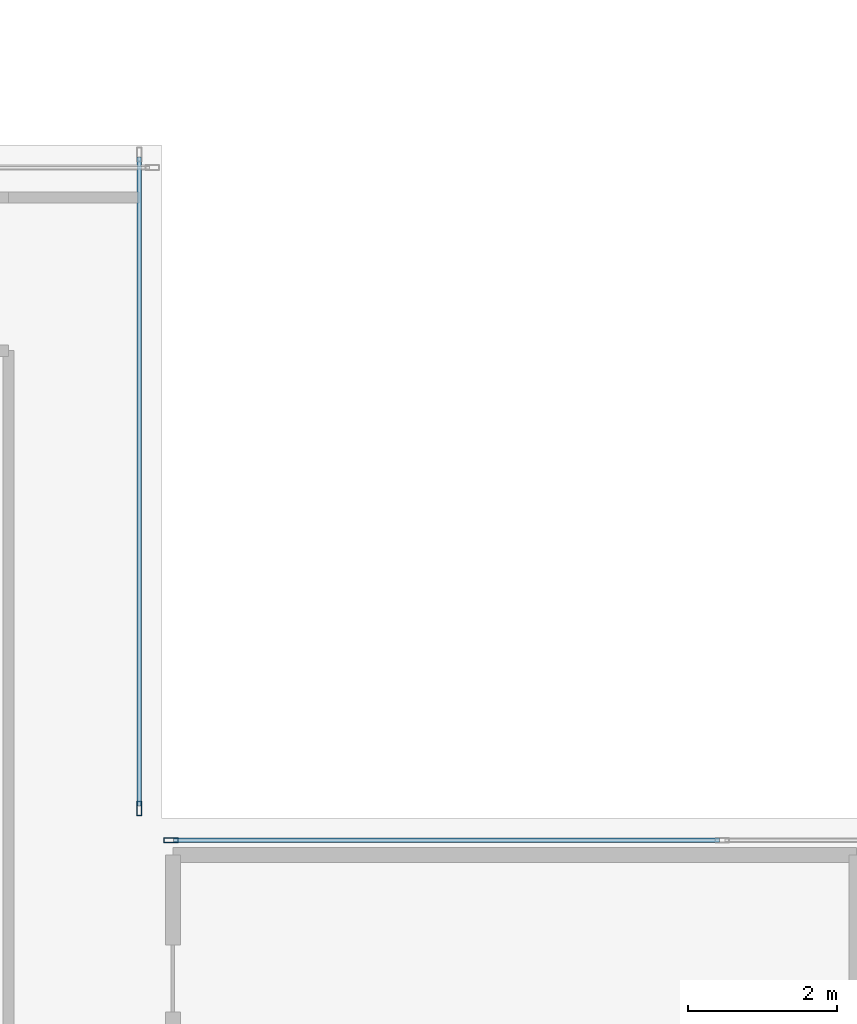
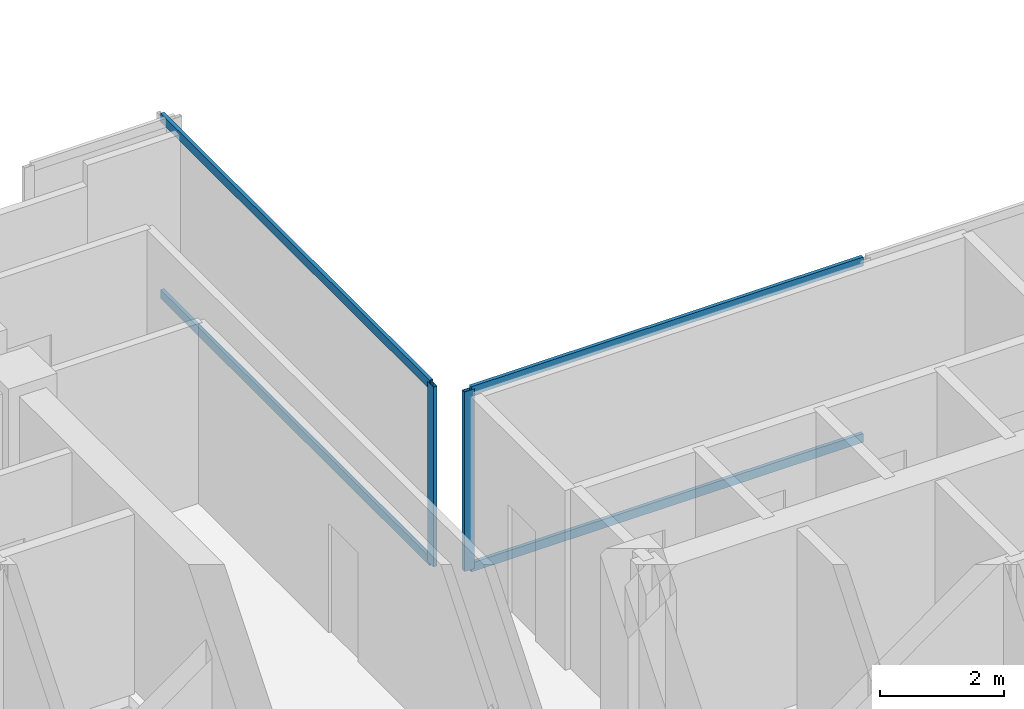
# One storey, part 9 of 22: 6 members, 2 elements without a shape of their own.
"""IFC4 building model written with IfcOpenShell, lengths in metres."""

from ifc_helpers import new_model, si_unit, direction, frame, origin, origin_2d, place, context, subcontext, project, spatial, hollow_rectangle, extrude, material, layer, layer_set, material_profile, profile_set, type_object, element, aggregate, save


model = new_model("IFC4")

# Units and contexts
model_context = context("Model", 3, precision=1e-05, world=origin(), true_north=direction((0.0, 1.0)))
body_context = subcontext(model_context, "Body", "Model", "MODEL_VIEW")
ifc_project = project(units=[si_unit("LENGTHUNIT", "METRE"), si_unit("AREAUNIT", "SQUARE_METRE"), si_unit("VOLUMEUNIT", "CUBIC_METRE"), si_unit("PLANEANGLEUNIT", "RADIAN"), si_unit("MASSUNIT", "GRAM", prefix="KILO"), si_unit("THERMODYNAMICTEMPERATUREUNIT", "KELVIN"), si_unit("POWERUNIT", "WATT")], contexts=[model_context])

# Site, building, storey
site_placement = place(None, origin())
site = spatial("IfcSite", under=ifc_project, at=site_placement, CompositionType="ELEMENT")
building_placement = place(site_placement, origin())
building = spatial("IfcBuilding", under=site, at=building_placement, Name="Svarakhadi Broadcast Tower", CompositionType="ELEMENT")
storey_placement = place(building_placement, frame((0.0, 0.0, 191.699951171875)))
storey = spatial("IfcBuildingStorey", under=building, at=storey_placement, Name="L47", CompositionType="ELEMENT", Elevation=191.699951171875)

# Curtain wall, member
ifc_material = material(Name="Anodised Bronze Aluminium AA 6063-T6", Category="aluminium")
ifc_layer = layer(ifc_material, 0.18994140625)
ifc_layer_set = layer_set([ifc_layer], Name="Anodised Bronze Aluminium AA 6063-T6")
curtain_wall_type = type_object("IfcCurtainWallType", Name="CW_Sys_04", PredefinedType="NOTDEFINED", material=ifc_layer_set)
curtain_wall_1_placement = place(storey_placement, origin())
curtain_wall_1 = element("IfcCurtainWall", 1, at=curtain_wall_1_placement, inside=storey, type_object=curtain_wall_type, Name="L47 Unitised Facade Curtain Wall 09", PredefinedType="NOTDEFINED")
ifc_material_profile_1 = material_profile(ifc_material, hollow_rectangle(XDim=0.070068359375, YDim=0.18994140625, WallThickness=0.005615234375, at=origin_2d()), Name="ALU MULLION 190x70x6")
ifc_profile_set_1 = profile_set([ifc_material_profile_1], Name="Anodised Bronze Aluminium AA 6063-T6")
member_type_1 = type_object("IfcMemberType", Name="CW_Sys_04_Mul", PredefinedType="MULLION", material=ifc_profile_set_1)
member_1_placement = place(storey_placement, frame((23.699951171875, 24.125, 0.0), z_axis=(0.0, 0.0, 1.0), x_axis=(1.0, 0.0, 0.0)))
member_1 = element("IfcMember", 2, at=member_1_placement, type_object=member_type_1, Name="CW-04 mullion 2", PredefinedType="MULLION", context=body_context, shape_type="SweptSolid", body=[
    extrude(hollow_rectangle(XDim=0.070068359375, YDim=0.18994140625, WallThickness=0.005615234375, at=origin_2d()), origin(), (0.0, 0.0, 1.0), 3.5400390625),
])

curtain_wall_2_placement = place(storey_placement, origin())
curtain_wall_2 = element("IfcCurtainWall", 3, at=curtain_wall_2_placement, inside=storey, type_object=curtain_wall_type, Name="L47 Unitised Facade Curtain Wall 10", PredefinedType="NOTDEFINED")
member_2_placement = place(storey_placement, frame((24.125, 23.699951171875, 0.0), z_axis=(0.0, 0.0, 1.0), x_axis=(0.0, 1.0, 0.0)))
member_2 = element("IfcMember", 4, at=member_2_placement, type_object=member_type_1, Name="CW-04 mullion 1", PredefinedType="MULLION", context=body_context, shape_type="SweptSolid", body=[
    extrude(hollow_rectangle(XDim=0.070068359375, YDim=0.18994140625, WallThickness=0.005615234375, at=origin_2d()), origin(), (0.0, 0.0, 1.0), 3.5400390625),
])

# Member
ifc_material_profile_2 = material_profile(ifc_material, hollow_rectangle(XDim=0.06494140625, YDim=0.175048828125, WallThickness=0.0048828125, at=origin_2d()), Name="ALU TRANSOM 175x65x5")
ifc_profile_set_2 = profile_set([ifc_material_profile_2], Name="Anodised Bronze Aluminium AA 6063-T6")
member_type_2 = type_object("IfcMemberType", Name="CW_Sys_04_Trn", PredefinedType="USERDEFINED", material=ifc_profile_set_2)
member_3_placement = place(storey_placement, frame((23.699951171875, 32.840087890625, 0.032470703125), z_axis=(0.0, -1.0, 0.0), x_axis=(1.0, 0.0, 0.0)))
member_3 = element("IfcMember", 5, at=member_3_placement, type_object=member_type_2, Name="CW-04 transom 1.1", ObjectType="TRANSOM", PredefinedType="USERDEFINED", context=body_context, shape_type="SweptSolid", body=[
    extrude(hollow_rectangle(XDim=0.06494140625, YDim=0.175048828125, WallThickness=0.0048828125, at=origin_2d()), origin(), (0.0, 0.0, 1.0), 8.68017578125),
])

member_4_placement = place(storey_placement, frame((23.699951171875, 32.840087890625, 3.507568359375), z_axis=(0.0, -1.0, 0.0), x_axis=(1.0, 0.0, 0.0)))
member_4 = element("IfcMember", 6, at=member_4_placement, type_object=member_type_2, Name="CW-04 transom 1.2", ObjectType="TRANSOM", PredefinedType="USERDEFINED", context=body_context, shape_type="SweptSolid", body=[
    extrude(hollow_rectangle(XDim=0.06494140625, YDim=0.175048828125, WallThickness=0.0048828125, at=origin_2d()), origin(), (0.0, 0.0, 1.0), 8.68017578125),
])

aggregate(curtain_wall_1, [member_1, member_3, member_4])

member_5_placement = place(storey_placement, frame((24.159912109375, 23.699951171875, 0.032470703125), z_axis=(1.0, 0.0, 0.0), x_axis=(0.0, 1.0, 0.0)))
member_5 = element("IfcMember", 7, at=member_5_placement, type_object=member_type_2, Name="CW-04 transom 1.1", ObjectType="TRANSOM", PredefinedType="USERDEFINED", context=body_context, shape_type="SweptSolid", body=[
    extrude(hollow_rectangle(XDim=0.06494140625, YDim=0.175048828125, WallThickness=0.0048828125, at=origin_2d()), origin(), (0.0, 0.0, 1.0), 7.30517578125),
])

member_6_placement = place(storey_placement, frame((24.159912109375, 23.699951171875, 3.507568359375), z_axis=(1.0, 0.0, 0.0), x_axis=(0.0, 1.0, 0.0)))
member_6 = element("IfcMember", 8, at=member_6_placement, type_object=member_type_2, Name="CW-04 transom 1.2", ObjectType="TRANSOM", PredefinedType="USERDEFINED", context=body_context, shape_type="SweptSolid", body=[
    extrude(hollow_rectangle(XDim=0.06494140625, YDim=0.175048828125, WallThickness=0.0048828125, at=origin_2d()), origin(), (0.0, 0.0, 1.0), 7.30517578125),
])

aggregate(curtain_wall_2, [member_2, member_5, member_6])

save(model, "model.ifc")
